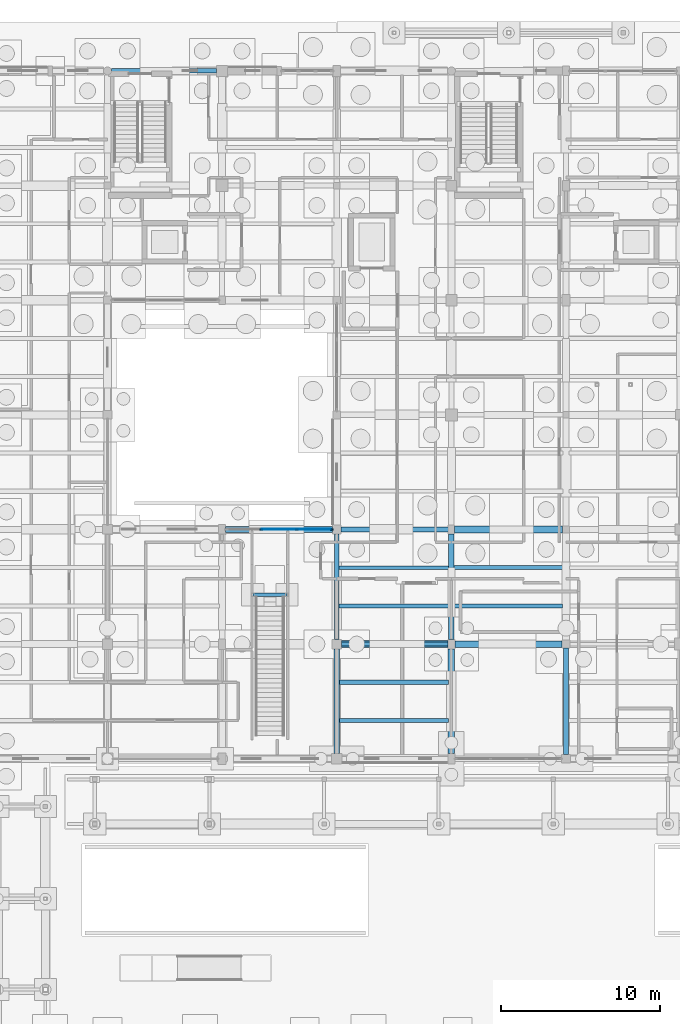
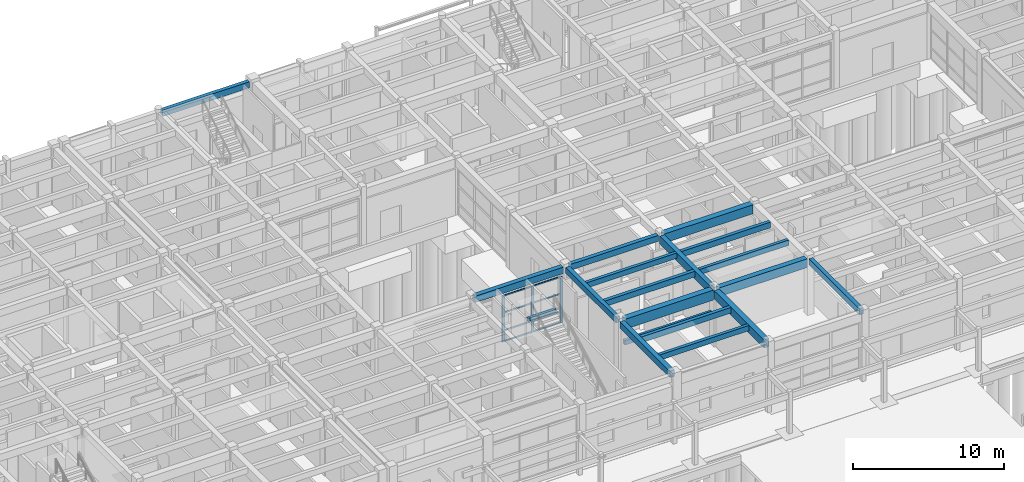
# One storey, part 62 of 143: 19 beams, 11 members, 1 element without a shape of its own.
"""IFC4 building model written with IfcOpenShell, lengths in metres."""

import ifcopenshell
import ifcopenshell.guid

model = None  # the IFC model being written
_history = None  # IfcOwnerHistory: only IFC2X3 demands one
_inside = {}  # id of a spatial element -> (the spatial element, [elements in it])
_under = {}  # id of a project, library or spatial element -> (it, [spatial elements below it])
_declared = {}  # id of a project -> (the project, [libraries it declares])
_typed = {}  # id of a type object -> (the type object, [elements of that type])
_made_of = {}  # id of a material, layer set ... -> (it, [elements and type objects made of it])


def new_model(schema):
    """Start an empty IFC model of exactly this schema.

    Asked for "IFC4X3", IfcOpenShell would pick the latest addendum, in which some entities
    have other attributes; the version numbers below select the first issue.
    IFC2X3 requires an IfcOwnerHistory on every rooted entity: one is made here for all.
    """
    global model, _history
    if schema == "IFC4X3":
        model = ifcopenshell.file(schema_version=(4, 3, 0, 0))
    else:
        model = ifcopenshell.file(schema=schema)
    _inside.clear()
    _under.clear()
    _declared.clear()
    _typed.clear()
    _made_of.clear()
    _history = None
    if model.schema == "IFC2X3":
        org = make("IfcOrganization", Name="unknown")
        user = make(
            "IfcPersonAndOrganization",
            ThePerson=make("IfcPerson", FamilyName="unknown"),
            TheOrganization=org,
        )
        app = make(
            "IfcApplication",
            ApplicationDeveloper=org,
            Version="unknown",
            ApplicationFullName="unknown",
            ApplicationIdentifier="unknown",
        )
        _history = make(
            "IfcOwnerHistory",
            OwningUser=user,
            OwningApplication=app,
            ChangeAction="ADDED",
            CreationDate=0,
        )
    return model


def make(cls, **values):
    """One entity of the class cls with the attributes given. An attribute that is None is left unset."""
    return model.create_entity(
        cls, **{name: value for name, value in values.items() if value is not None}
    )


def rooted(cls, **values):
    """An entity with a GlobalId (a new one), such as an element, a storey or a relation."""
    return make(cls, GlobalId=ifcopenshell.guid.new(), OwnerHistory=_history, **values)


def si_unit(unit_type, name, prefix=None):
    """IfcSIUnit, for example si_unit("LENGTHUNIT", "METRE", prefix="MILLI")."""
    return make("IfcSIUnit", UnitType=unit_type, Prefix=prefix, Name=name)


def assignment(units):
    """IfcUnitAssignment: the units of a project."""
    return None if units is None else make("IfcUnitAssignment", Units=units)


def point(xyz):
    """IfcCartesianPoint."""
    return None if xyz is None else make("IfcCartesianPoint", Coordinates=xyz)


def direction(xyz):
    """IfcDirection."""
    return None if xyz is None else make("IfcDirection", DirectionRatios=xyz)


def frame(location, z_axis=None, x_axis=None):
    """IfcAxis2Placement3D, a coordinate frame: its origin and axes. An axis left out is left unset."""
    return make(
        "IfcAxis2Placement3D",
        Location=point(location),
        Axis=direction(z_axis),
        RefDirection=direction(x_axis),
    )


def frame_2d(location, x_axis=None):
    """IfcAxis2Placement2D, a coordinate frame in the plane: its origin and x axis."""
    return make(
        "IfcAxis2Placement2D", Location=point(location), RefDirection=direction(x_axis)
    )


def origin():
    """The frame at (0, 0, 0) with its axes left unset."""
    return frame((0.0, 0.0, 0.0))


def origin_2d():
    """The frame at (0, 0) in the plane with its x axis left unset."""
    return frame_2d((0.0, 0.0))


def place(relative_to, where):
    """IfcLocalPlacement: puts the frame where relative to a parent placement (None: the world)."""
    return make(
        "IfcLocalPlacement", PlacementRelTo=relative_to, RelativePlacement=where
    )


def context(
    kind, dimensions, precision=None, world=None, true_north=None, identifier=None
):
    """IfcGeometricRepresentationContext, for example the 3D "Model" context."""
    return make(
        "IfcGeometricRepresentationContext",
        ContextIdentifier=identifier,
        ContextType=kind,
        CoordinateSpaceDimension=dimensions,
        Precision=precision,
        WorldCoordinateSystem=world,
        TrueNorth=true_north,
    )


def subcontext(parent, identifier, kind, view, scale=None):
    """IfcGeometricRepresentationSubContext, for example "Body" below "Model"."""
    return make(
        "IfcGeometricRepresentationSubContext",
        ContextIdentifier=identifier,
        ContextType=kind,
        ParentContext=parent,
        TargetScale=scale,
        TargetView=view,
    )


def project(units=None, contexts=None):
    """IfcProject with its units and contexts."""
    return rooted(
        "IfcProject",
        Name="project",
        RepresentationContexts=contexts,
        UnitsInContext=assignment(units),
    )


def spatial(cls, under=None, at=None, **own):
    """A site, building, storey or space (cls), placed at a placement, below another one or the project."""
    s = rooted(cls, ObjectPlacement=at, **own)
    if under is not None:
        _under.setdefault(under.id(), (under, []))[1].append(s)
    return s


def profile(cls, at=None, kind="AREA", **sizes):
    """A parametric profile (cls). Its sizes go by their IFC names, for example OverallWidth=200.0."""
    return make(cls, ProfileType=kind, Position=at, **sizes)


def rectangle(**sizes):
    """IfcRectangleProfileDef."""
    return profile("IfcRectangleProfileDef", **sizes)


def i_section(**sizes):
    """IfcIShapeProfileDef."""
    return profile("IfcIShapeProfileDef", **sizes)


def extrude(swept, where, along, depth):
    """IfcExtrudedAreaSolid: the profile swept, set in the frame where, extruded along a direction by depth."""
    return make(
        "IfcExtrudedAreaSolid",
        SweptArea=swept,
        Position=where,
        ExtrudedDirection=direction(along),
        Depth=depth,
    )


def shape(context_of_items, identifier, shape_type, items):
    """IfcShapeRepresentation: the items that make up one representation, for example the "Body"."""
    return make(
        "IfcShapeRepresentation",
        ContextOfItems=context_of_items,
        RepresentationIdentifier=identifier,
        RepresentationType=shape_type,
        Items=items,
    )


def material(Name=None, Category=None):
    """IfcMaterial."""
    return make("IfcMaterial", Name=Name, Category=Category)


def material_profile(
    of_material, cross_section, Name=None, Category=None, Priority=None
):
    """IfcMaterialProfile: a cross section and its material."""
    return make(
        "IfcMaterialProfile",
        Name=Name,
        Material=of_material,
        Profile=cross_section,
        Priority=Priority,
        Category=Category,
    )


def profile_set(profiles, Name=None, composite=None):
    """IfcMaterialProfileSet."""
    return make(
        "IfcMaterialProfileSet",
        Name=Name,
        MaterialProfiles=profiles,
        CompositeProfile=composite,
    )


def made_of(thing, what):
    """Note that an element or type object is made of a material, layer set ...; save() writes the relation."""
    if what is not None:
        _made_of.setdefault(what.id(), (what, []))[1].append(thing)
    return thing


def type_object(cls, material=None, **own):
    """A type object (cls), such as IfcWallType, which elements share."""
    return made_of(rooted(cls, **own), material)


def element(
    cls,
    number,
    at=None,
    inside=None,
    cuts=None,
    type_object=None,
    material=None,
    context=None,
    identifier="Body",
    shape_type=None,
    held_by="IfcProductDefinitionShape",
    body=None,
    shapes=None,
    **own,
):
    """One element of the class cls, such as IfcWall. Its Tag is "e" and its number.

    at: its placement. inside: the storey or other place that contains it. cuts: it is an
    opening in that element (IfcRelVoidsElement). A single representation is given by context,
    identifier, shape_type and body (its items); several are given by shapes. held_by: the class
    of the entity that holds the representations. save() writes the other relations.
    """
    e = rooted(cls, Tag="e%d" % number, ObjectPlacement=at, **own)
    if body is not None:
        shapes = [shape(context, identifier, shape_type, body)]
    if shapes is not None:
        e.Representation = make(held_by, Representations=shapes)
    if inside is not None:
        _inside.setdefault(inside.id(), (inside, []))[1].append(e)
    if cuts is not None:
        rooted(
            "IfcRelVoidsElement", RelatingBuildingElement=cuts, RelatedOpeningElement=e
        )
    if type_object is not None:
        _typed.setdefault(type_object.id(), (type_object, []))[1].append(e)
    return made_of(e, material)


def aggregate(whole, parts):
    """IfcRelAggregates: a whole, such as a stair, and the parts it consists of."""
    return rooted("IfcRelAggregates", RelatingObject=whole, RelatedObjects=parts)


def save(model, path):
    """Write the relations noted so far, then the file.

    IfcRelAggregates (storeys below a building ...), IfcRelContainedInSpatialStructure (elements
    in a storey), IfcRelDefinesByType, IfcRelAssociatesMaterial and IfcRelDeclares: one each for
    every whole, place, type object, material and project.
    """
    for whole, parts in _under.values():
        aggregate(whole, parts)
    for where, things in _inside.values():
        rooted(
            "IfcRelContainedInSpatialStructure",
            RelatedElements=things,
            RelatingStructure=where,
        )
    for kind, things in _typed.values():
        rooted("IfcRelDefinesByType", RelatedObjects=things, RelatingType=kind)
    for what, things in _made_of.values():
        rooted("IfcRelAssociatesMaterial", RelatedObjects=things, RelatingMaterial=what)
    for by, libraries in _declared.values():
        rooted("IfcRelDeclares", RelatingContext=by, RelatedDefinitions=libraries)
    model.write(path)


model = new_model("IFC4")

# Units and contexts
model_context = context("Model", 3, precision=1e-05, world=origin(), true_north=direction((0.0, 1.0)))
body_context = subcontext(model_context, "Body", "Model", "MODEL_VIEW")
ifc_project = project(units=[si_unit("LENGTHUNIT", "METRE"), si_unit("AREAUNIT", "SQUARE_METRE"), si_unit("VOLUMEUNIT", "CUBIC_METRE"), si_unit("PLANEANGLEUNIT", "RADIAN"), si_unit("MASSUNIT", "GRAM", prefix="KILO")], contexts=[model_context])

# Site, building, storey
site_placement = place(None, origin())
site = spatial("IfcSite", under=ifc_project, at=site_placement, CompositionType="ELEMENT")
building_placement = place(site_placement, origin())
building = spatial("IfcBuilding", under=site, at=building_placement, Name="Steenspoor Specialist Clinic", CompositionType="ELEMENT")
storey_placement = place(building_placement, origin())
storey = spatial("IfcBuildingStorey", under=building, at=storey_placement, Name="L00", CompositionType="ELEMENT", Elevation=0.0)

# Beams
ifc_material_1 = material(Name="Concrete C35/45", Category="concrete")
ifc_material_profile_1 = material_profile(ifc_material_1, rectangle(XDim=0.300048828125, YDim=0.47998046875, at=origin_2d()), Name="RC-BM-300X480")
ifc_profile_set_1 = profile_set([ifc_material_profile_1], Name="Concrete C35/45")
beam_type_1 = type_object("IfcBeamType", Name="BM-RC-300X480", PredefinedType="BEAM", material=ifc_profile_set_1)
beam_1_placement = place(storey_placement, frame((74.27001953125, 79.550048828125, 4.31005859375), z_axis=(1.0, 0.0, 0.0), x_axis=(0.0, 1.0, 0.0)))
element("IfcBeam", 1, at=beam_1_placement, inside=storey, type_object=beam_type_1, Name="BM-V4-L00-X0306", PredefinedType="BEAM", context=body_context, shape_type="SweptSolid", body=[
    extrude(rectangle(XDim=0.300048828125, YDim=0.47998046875, at=origin_2d()), origin(), (0.0, 0.0, 1.0), 6.73486328125),
])
beam_2_placement = place(storey_placement, frame((74.0, 72.64501953125, 4.31005859375), z_axis=(0.0, 1.0, 0.0), x_axis=(-1.0, 0.0, 0.0)))
element("IfcBeam", 2, at=beam_2_placement, inside=storey, type_object=beam_type_1, Name="BM-V4-L00-Y0358", PredefinedType="BEAM", context=body_context, shape_type="SweptSolid", body=[
    extrude(rectangle(XDim=0.300048828125, YDim=0.47998046875, at=origin_2d()), origin(), (0.0, 0.0, 1.0), 6.635009765625),
])
beam_3_placement = place(storey_placement, frame((88.39990234375, 65.419921875, 4.31005859375), z_axis=(0.0, 1.0, 0.0), x_axis=(-1.0, 0.0, 0.0)))
element("IfcBeam", 3, at=beam_3_placement, inside=storey, type_object=beam_type_1, Name="BM-V4-L00-Y0369", PredefinedType="BEAM", context=body_context, shape_type="SweptSolid", body=[
    extrude(rectangle(XDim=0.300048828125, YDim=0.47998046875, at=origin_2d()), origin(), (0.0, 0.0, 1.0), 6.68505859375),
])
ifc_material_profile_2 = material_profile(ifc_material_1, rectangle(XDim=0.35009765625, YDim=0.52001953125, at=origin_2d()), Name="RC-BM-350X520")
ifc_profile_set_2 = profile_set([ifc_material_profile_2], Name="Concrete C35/45")
beam_type_2 = type_object("IfcBeamType", Name="BM-RC-350X520", PredefinedType="BEAM", material=ifc_profile_set_2)
beam_4_placement = place(storey_placement, frame((67.02001953125, 79.550048828125, 4.2900390625), z_axis=(1.0, 0.0, 0.0), x_axis=(0.0, 1.0, 0.0)))
element("IfcBeam", 4, at=beam_4_placement, inside=storey, type_object=beam_type_2, Name="BM-V4-L00-X0305", PredefinedType="BEAM", context=body_context, shape_type="SweptSolid", body=[
    extrude(rectangle(XDim=0.35009765625, YDim=0.52001953125, at=origin_2d()), origin(), (0.0, 0.0, 1.0), 6.7099609375),
])
beam_5_placement = place(storey_placement, frame((74.0, 65.469970703125, 4.2900390625), z_axis=(0.0, 1.0, 0.0), x_axis=(-1.0, 0.0, 0.0)))
element("IfcBeam", 5, at=beam_5_placement, inside=storey, type_object=beam_type_2, Name="BM-V4-L00-Y0357", PredefinedType="BEAM", context=body_context, shape_type="SweptSolid", body=[
    extrude(rectangle(XDim=0.35009765625, YDim=0.52001953125, at=origin_2d()), origin(), (0.0, 0.0, 1.0), 6.5849609375),
])
ifc_material_profile_3 = material_profile(ifc_material_1, rectangle(XDim=0.35009765625, YDim=0.64990234375, at=origin_2d()), Name="RC-BM-350X650")
ifc_profile_set_3 = profile_set([ifc_material_profile_3], Name="Concrete C35/45")
beam_type_3 = type_object("IfcBeamType", Name="BM-RC-350X650", PredefinedType="BEAM", material=ifc_profile_set_3)
beam_6_placement = place(storey_placement, frame((81.199951171875, 72.64501953125, 4.22509765625), z_axis=(0.0, 1.0, 0.0), x_axis=(-1.0, 0.0, 0.0)))
element("IfcBeam", 6, at=beam_6_placement, inside=storey, type_object=beam_type_3, Name="BM-V4-L00-Y0364", PredefinedType="BEAM", context=body_context, shape_type="SweptSolid", body=[
    extrude(rectangle(XDim=0.35009765625, YDim=0.64990234375, at=origin_2d()), origin(), (0.0, 0.0, 1.0), 6.635009765625),
])
ifc_material_profile_4 = material_profile(ifc_material_1, rectangle(XDim=0.39990234375, YDim=0.64990234375, at=origin_2d()), Name="RC-BM-400X650")
ifc_profile_set_4 = profile_set([ifc_material_profile_4], Name="Concrete C35/45")
beam_type_4 = type_object("IfcBeamType", Name="BM-RC-400X650", PredefinedType="BEAM", material=ifc_profile_set_4)
beam_7_placement = place(storey_placement, frame((81.199951171875, 65.469970703125, 4.22509765625), z_axis=(0.0, 1.0, 0.0), x_axis=(-1.0, 0.0, 0.0)))
element("IfcBeam", 7, at=beam_7_placement, inside=storey, type_object=beam_type_4, Name="BM-V4-L00-Y0363", PredefinedType="BEAM", context=body_context, shape_type="SweptSolid", body=[
    extrude(rectangle(XDim=0.39990234375, YDim=0.64990234375, at=origin_2d()), origin(), (0.0, 0.0, 1.0), 6.5849609375),
])
ifc_material_profile_5 = material_profile(ifc_material_1, rectangle(XDim=0.39990234375, YDim=0.699951171875, at=origin_2d()), Name="RC-BM-400X700")
ifc_profile_set_5 = profile_set([ifc_material_profile_5], Name="Concrete C35/45")
beam_type_5 = type_object("IfcBeamType", Name="BM-RC-400X700", PredefinedType="BEAM", material=ifc_profile_set_5)
beam_8_placement = place(storey_placement, frame((81.419921875, 72.35009765625, 4.199951171875), z_axis=(1.0, 0.0, 0.0), x_axis=(0.0, 1.0, 0.0)))
element("IfcBeam", 8, at=beam_8_placement, inside=storey, type_object=beam_type_5, Name="BM-V4-L00-X0298", PredefinedType="BEAM", context=body_context, shape_type="SweptSolid", body=[
    extrude(rectangle(XDim=0.39990234375, YDim=0.699951171875, at=origin_2d()), origin(), (0.0, 0.0, 1.0), 6.735107421875),
])
ifc_material_profile_6 = material_profile(ifc_material_1, rectangle(XDim=0.449951171875, YDim=0.719970703125, at=origin_2d()), Name="RC-BM-450X720")
ifc_profile_set_6 = profile_set([ifc_material_profile_6], Name="Concrete C35/45")
beam_type_6 = type_object("IfcBeamType", Name="BM-RC-450X720", PredefinedType="BEAM", material=ifc_profile_set_6)
beam_9_placement = place(storey_placement, frame((81.39501953125, 79.550048828125, 4.18994140625), z_axis=(1.0, 0.0, 0.0), x_axis=(0.0, 1.0, 0.0)))
element("IfcBeam", 9, at=beam_9_placement, inside=storey, type_object=beam_type_6, Name="BM-V4-L00-X0307", PredefinedType="BEAM", context=body_context, shape_type="SweptSolid", body=[
    extrude(rectangle(XDim=0.449951171875, YDim=0.719970703125, at=origin_2d()), origin(), (0.0, 0.0, 1.0), 6.784912109375),
])
ifc_material_profile_7 = material_profile(ifc_material_1, rectangle(XDim=0.449951171875, YDim=0.800048828125, at=origin_2d()), Name="RC-BM-450X800")
ifc_profile_set_7 = profile_set([ifc_material_profile_7], Name="Concrete C35/45")
beam_type_7 = type_object("IfcBeamType", Name="BM-RC-450X800", PredefinedType="BEAM", material=ifc_profile_set_7)
beam_10_placement = place(storey_placement, frame((74.294921875, 72.35009765625, 4.14990234375), z_axis=(1.0, 0.0, 0.0), x_axis=(0.0, 1.0, 0.0)))
element("IfcBeam", 10, at=beam_10_placement, inside=storey, type_object=beam_type_7, Name="BM-V4-L00-X0297", PredefinedType="BEAM", context=body_context, shape_type="SweptSolid", body=[
    extrude(rectangle(XDim=0.449951171875, YDim=0.800048828125, at=origin_2d()), origin(), (0.0, 0.0, 1.0), 6.68505859375),
])
ifc_material_2 = material(Name="Steel A992 Grade 50", Category="steel")
ifc_material_profile_8 = material_profile(ifc_material_2, i_section(OverallWidth=0.202880859375, OverallDepth=0.251953125, WebThickness=0.008056640625, FlangeThickness=0.013427734375, at=origin_2d()), Name="W250X58")
ifc_profile_set_8 = profile_set([ifc_material_profile_8], Name="Steel A992 Grade 50")
beam_type_8 = type_object("IfcBeamType", Name="BM-ST-W250X58", PredefinedType="JOIST", material=ifc_profile_set_8)
beam_11_placement = place(storey_placement, frame((68.72509765625, 75.449951171875, 4.469970703125), z_axis=(1.0, 0.0, 0.0), x_axis=(0.0, 1.0, 0.0)))
element("IfcBeam", 11, at=beam_11_placement, inside=storey, type_object=beam_type_8, Name="Feature Stair Landing Bearer ST-F02", PredefinedType="JOIST", context=body_context, shape_type="SweptSolid", body=[
    extrude(i_section(OverallWidth=0.202880859375, OverallDepth=0.251953125, WebThickness=0.008056640625, FlangeThickness=0.013427734375, at=origin_2d()), origin(), (0.0, 0.0, 1.0), 2.14990234375),
])

# Curtain wall, members
ifc_material_3 = material(Name="Thermally broken aluminium and low-emissivity glass", Category="aluminium")
curtain_wall_type = type_object("IfcCurtainWallType", Name="CW-L00-650X415", PredefinedType="USERDEFINED", material=ifc_material_3)
curtain_wall_placement = place(storey_placement, origin())
curtain_wall = element("IfcCurtainWall", 12, at=curtain_wall_placement, inside=storey, type_object=curtain_wall_type, Name="Unitised Curtain Wall CW-V4-L00-053", ObjectType="UNITISED GLAZING", PredefinedType="USERDEFINED")
ifc_material_4 = material(Name="Thermally broken aluminium 6063-T6", Category="aluminium")
ifc_material_profile_9 = material_profile(ifc_material_4, rectangle(XDim=0.090087890625, YDim=0.199951171875, at=origin_2d()), Name="CWM-90X200")
ifc_profile_set_9 = profile_set([ifc_material_profile_9], Name="Thermally broken aluminium 6063-T6")
member_type_1 = type_object("IfcMemberType", Name="CW-MULL-90X200", PredefinedType="MULLION", material=ifc_profile_set_9)
member_1_placement = place(storey_placement, frame((69.25830078125, 79.550048828125, 0.0), z_axis=(0.0, 0.0, 1.0), x_axis=(0.0, 1.0, 0.0)))
member_1 = element("IfcMember", 13, at=member_1_placement, type_object=member_type_1, Name="CW-05 mullion 2", PredefinedType="MULLION", context=body_context, shape_type="SweptSolid", body=[
    extrude(rectangle(XDim=0.090087890625, YDim=0.199951171875, at=origin_2d()), origin(), (0.0, 0.0, 1.0), 3.72998046875),
])
member_2_placement = place(storey_placement, frame((71.49169921875, 79.550048828125, 0.0), z_axis=(0.0, 0.0, 1.0), x_axis=(0.0, 1.0, 0.0)))
member_2 = element("IfcMember", 14, at=member_2_placement, type_object=member_type_1, Name="CW-05 mullion 3", PredefinedType="MULLION", context=body_context, shape_type="SweptSolid", body=[
    extrude(rectangle(XDim=0.090087890625, YDim=0.199951171875, at=origin_2d()), origin(), (0.0, 0.0, 1.0), 3.72998046875),
])
member_3_placement = place(storey_placement, frame((73.679931640625, 79.550048828125, 0.0), z_axis=(0.0, 0.0, 1.0), x_axis=(0.0, 1.0, 0.0)))
member_3 = element("IfcMember", 15, at=member_3_placement, type_object=member_type_1, Name="CW-05 mullion 4", PredefinedType="MULLION", context=body_context, shape_type="SweptSolid", body=[
    extrude(rectangle(XDim=0.090087890625, YDim=0.199951171875, at=origin_2d()), origin(), (0.0, 0.0, 1.0), 3.72998046875),
])
ifc_material_profile_10 = material_profile(ifc_material_4, rectangle(XDim=0.06005859375, YDim=0.114990234375, at=origin_2d()), Name="CWT-60X115")
ifc_profile_set_10 = profile_set([ifc_material_profile_10], Name="Thermally broken aluminium 6063-T6")
member_type_2 = type_object("IfcMemberType", Name="CW-TRAN-60X115", PredefinedType="USERDEFINED", material=ifc_profile_set_10)
member_4_placement = place(storey_placement, frame((69.30322265625, 79.550048828125, 0.030029296875), z_axis=(1.0, 0.0, 0.0), x_axis=(0.0, 1.0, 0.0)))
member_4 = element("IfcMember", 16, at=member_4_placement, type_object=member_type_2, Name="CW-05 transom 2.1", ObjectType="TRANSOM", PredefinedType="USERDEFINED", context=body_context, shape_type="SweptSolid", body=[
    extrude(rectangle(XDim=0.06005859375, YDim=0.114990234375, at=origin_2d()), origin(), (0.0, 0.0, 1.0), 2.1435546875),
])
member_5_placement = place(storey_placement, frame((69.30322265625, 79.550048828125, 0.89990234375), z_axis=(1.0, 0.0, 0.0), x_axis=(0.0, 1.0, 0.0)))
member_5 = element("IfcMember", 17, at=member_5_placement, type_object=member_type_2, Name="CW-05 transom 2.2", ObjectType="TRANSOM", PredefinedType="USERDEFINED", context=body_context, shape_type="SweptSolid", body=[
    extrude(rectangle(XDim=0.06005859375, YDim=0.114990234375, at=origin_2d()), origin(), (0.0, 0.0, 1.0), 2.1435546875),
])
member_6_placement = place(storey_placement, frame((69.30322265625, 79.550048828125, 2.35009765625), z_axis=(1.0, 0.0, 0.0), x_axis=(0.0, 1.0, 0.0)))
member_6 = element("IfcMember", 18, at=member_6_placement, type_object=member_type_2, Name="CW-05 transom 2.3", ObjectType="TRANSOM", PredefinedType="USERDEFINED", context=body_context, shape_type="SweptSolid", body=[
    extrude(rectangle(XDim=0.06005859375, YDim=0.114990234375, at=origin_2d()), origin(), (0.0, 0.0, 1.0), 2.1435546875),
])
member_7_placement = place(storey_placement, frame((69.30322265625, 79.550048828125, 3.699951171875), z_axis=(1.0, 0.0, 0.0), x_axis=(0.0, 1.0, 0.0)))
member_7 = element("IfcMember", 19, at=member_7_placement, type_object=member_type_2, Name="CW-05 transom 2.4", ObjectType="TRANSOM", PredefinedType="USERDEFINED", context=body_context, shape_type="SweptSolid", body=[
    extrude(rectangle(XDim=0.06005859375, YDim=0.114990234375, at=origin_2d()), origin(), (0.0, 0.0, 1.0), 2.1435546875),
])
member_8_placement = place(storey_placement, frame((71.53662109375, 79.550048828125, 0.030029296875), z_axis=(1.0, 0.0, 0.0), x_axis=(0.0, 1.0, 0.0)))
member_8 = element("IfcMember", 20, at=member_8_placement, type_object=member_type_2, Name="CW-05 transom 3.1", ObjectType="TRANSOM", PredefinedType="USERDEFINED", context=body_context, shape_type="SweptSolid", body=[
    extrude(rectangle(XDim=0.06005859375, YDim=0.114990234375, at=origin_2d()), origin(), (0.0, 0.0, 1.0), 2.098388671875),
])
member_9_placement = place(storey_placement, frame((71.53662109375, 79.550048828125, 0.89990234375), z_axis=(1.0, 0.0, 0.0), x_axis=(0.0, 1.0, 0.0)))
member_9 = element("IfcMember", 21, at=member_9_placement, type_object=member_type_2, Name="CW-05 transom 3.2", ObjectType="TRANSOM", PredefinedType="USERDEFINED", context=body_context, shape_type="SweptSolid", body=[
    extrude(rectangle(XDim=0.06005859375, YDim=0.114990234375, at=origin_2d()), origin(), (0.0, 0.0, 1.0), 2.098388671875),
])
member_10_placement = place(storey_placement, frame((71.53662109375, 79.550048828125, 2.35009765625), z_axis=(1.0, 0.0, 0.0), x_axis=(0.0, 1.0, 0.0)))
member_10 = element("IfcMember", 22, at=member_10_placement, type_object=member_type_2, Name="CW-05 transom 3.3", ObjectType="TRANSOM", PredefinedType="USERDEFINED", context=body_context, shape_type="SweptSolid", body=[
    extrude(rectangle(XDim=0.06005859375, YDim=0.114990234375, at=origin_2d()), origin(), (0.0, 0.0, 1.0), 2.098388671875),
])
member_11_placement = place(storey_placement, frame((71.53662109375, 79.550048828125, 3.699951171875), z_axis=(1.0, 0.0, 0.0), x_axis=(0.0, 1.0, 0.0)))
member_11 = element("IfcMember", 23, at=member_11_placement, type_object=member_type_2, Name="CW-05 transom 3.4", ObjectType="TRANSOM", PredefinedType="USERDEFINED", context=body_context, shape_type="SweptSolid", body=[
    extrude(rectangle(XDim=0.06005859375, YDim=0.114990234375, at=origin_2d()), origin(), (0.0, 0.0, 1.0), 2.098388671875),
])
aggregate(curtain_wall, [member_1, member_2, member_3, member_4, member_5, member_6, member_7, member_8, member_9, member_10, member_11])

# Beams
ifc_material_profile_11 = material_profile(ifc_material_1, rectangle(XDim=0.239990234375, YDim=0.419921875, at=origin_2d()), Name="RC-JT-240X420")
ifc_profile_set_11 = profile_set([ifc_material_profile_11], Name="Concrete C35/45")
beam_type_9 = type_object("IfcBeamType", Name="JT-RC-240X420", PredefinedType="JOIST", material=ifc_profile_set_11)
beam_12_placement = place(storey_placement, frame((74.169921875, 67.550048828125, 4.340087890625), z_axis=(1.0, 0.0, 0.0), x_axis=(0.0, 1.0, 0.0)))
element("IfcBeam", 24, at=beam_12_placement, inside=storey, type_object=beam_type_9, Name="JT-V4-L00-0419", PredefinedType="JOIST", context=body_context, shape_type="SweptSolid", body=[
    extrude(rectangle(XDim=0.239990234375, YDim=0.419921875, at=origin_2d()), origin(), (0.0, 0.0, 1.0), 6.8349609375),
])
beam_13_placement = place(storey_placement, frame((74.14501953125, 77.14990234375, 4.340087890625), z_axis=(1.0, 0.0, 0.0), x_axis=(0.0, 1.0, 0.0)))
element("IfcBeam", 25, at=beam_13_placement, inside=storey, type_object=beam_type_9, Name="JT-V4-L00-0422", PredefinedType="JOIST", context=body_context, shape_type="SweptSolid", body=[
    extrude(rectangle(XDim=0.239990234375, YDim=0.419921875, at=origin_2d()), origin(), (0.0, 0.0, 1.0), 6.885009765625),
])
beam_14_placement = place(storey_placement, frame((81.3701171875, 74.75, 4.340087890625), z_axis=(1.0, 0.0, 0.0), x_axis=(0.0, 1.0, 0.0)))
element("IfcBeam", 26, at=beam_14_placement, inside=storey, type_object=beam_type_9, Name="JT-V4-L00-0429", PredefinedType="JOIST", context=body_context, shape_type="SweptSolid", body=[
    extrude(rectangle(XDim=0.239990234375, YDim=0.419921875, at=origin_2d()), origin(), (0.0, 0.0, 1.0), 6.809814453125),
])
ifc_material_profile_12 = material_profile(ifc_material_1, rectangle(XDim=0.260009765625, YDim=0.4599609375, at=origin_2d()), Name="RC-JT-260X460")
ifc_profile_set_12 = profile_set([ifc_material_profile_12], Name="Concrete C35/45")
beam_type_10 = type_object("IfcBeamType", Name="JT-RC-260X460", PredefinedType="JOIST", material=ifc_profile_set_12)
beam_15_placement = place(storey_placement, frame((74.169921875, 69.949951171875, 4.320068359375), z_axis=(1.0, 0.0, 0.0), x_axis=(0.0, 1.0, 0.0)))
element("IfcBeam", 27, at=beam_15_placement, inside=storey, type_object=beam_type_10, Name="JT-V4-L00-0420", PredefinedType="JOIST", context=body_context, shape_type="SweptSolid", body=[
    extrude(rectangle(XDim=0.260009765625, YDim=0.4599609375, at=origin_2d()), origin(), (0.0, 0.0, 1.0), 6.8349609375),
])
beam_16_placement = place(storey_placement, frame((74.14501953125, 74.75, 4.320068359375), z_axis=(1.0, 0.0, 0.0), x_axis=(0.0, 1.0, 0.0)))
element("IfcBeam", 28, at=beam_16_placement, inside=storey, type_object=beam_type_10, Name="JT-V4-L00-0421", PredefinedType="JOIST", context=body_context, shape_type="SweptSolid", body=[
    extrude(rectangle(XDim=0.260009765625, YDim=0.4599609375, at=origin_2d()), origin(), (0.0, 0.0, 1.0), 6.885009765625),
])
beam_17_placement = place(storey_placement, frame((81.3701171875, 77.14990234375, 4.320068359375), z_axis=(1.0, 0.0, 0.0), x_axis=(0.0, 1.0, 0.0)))
element("IfcBeam", 29, at=beam_17_placement, inside=storey, type_object=beam_type_10, Name="JT-V4-L00-0430", PredefinedType="JOIST", context=body_context, shape_type="SweptSolid", body=[
    extrude(rectangle(XDim=0.260009765625, YDim=0.4599609375, at=origin_2d()), origin(), (0.0, 0.0, 1.0), 6.809814453125),
])
ifc_material_profile_13 = material_profile(ifc_material_1, rectangle(XDim=0.25, YDim=0.360107421875, at=origin_2d()), Name="RC-LN-250X360")
ifc_profile_set_13 = profile_set([ifc_material_profile_13], Name="Concrete C35/45")
beam_type_11 = type_object("IfcBeamType", Name="LN-RC-250X360", PredefinedType="LINTEL", material=ifc_profile_set_13)
beam_18_placement = place(storey_placement, frame((74.294921875, 72.35009765625, 2.570068359375), z_axis=(1.0, 0.0, 0.0), x_axis=(0.0, 1.0, 0.0)))
element("IfcBeam", 30, at=beam_18_placement, inside=storey, type_object=beam_type_11, Name="LN-INT-B01", PredefinedType="LINTEL", context=body_context, shape_type="SweptSolid", body=[
    extrude(rectangle(XDim=0.25, YDim=0.360107421875, at=origin_2d()), origin(), (0.0, 0.0, 1.0), 6.68505859375),
])
ifc_material_profile_14 = material_profile(ifc_material_1, rectangle(XDim=0.280029296875, YDim=0.5, at=origin_2d()), Name="RC-SP-280X500")
ifc_profile_set_14 = profile_set([ifc_material_profile_14], Name="Concrete C35/45")
beam_type_12 = type_object("IfcBeamType", Name="SP-RC-280X500", PredefinedType="SPANDREL", material=ifc_profile_set_14)
beam_19_placement = place(storey_placement, frame((59.844970703125, 108.35009765625, 4.300048828125), z_axis=(1.0, 0.0, 0.0), x_axis=(0.0, 1.0, 0.0)))
element("IfcBeam", 31, at=beam_19_placement, inside=storey, type_object=beam_type_12, Name="BM-V4-L00-X0333", PredefinedType="SPANDREL", context=body_context, shape_type="SweptSolid", body=[
    extrude(rectangle(XDim=0.280029296875, YDim=0.5, at=origin_2d()), origin(), (0.0, 0.0, 1.0), 6.610107421875),
])

save(model, "model.ifc")
